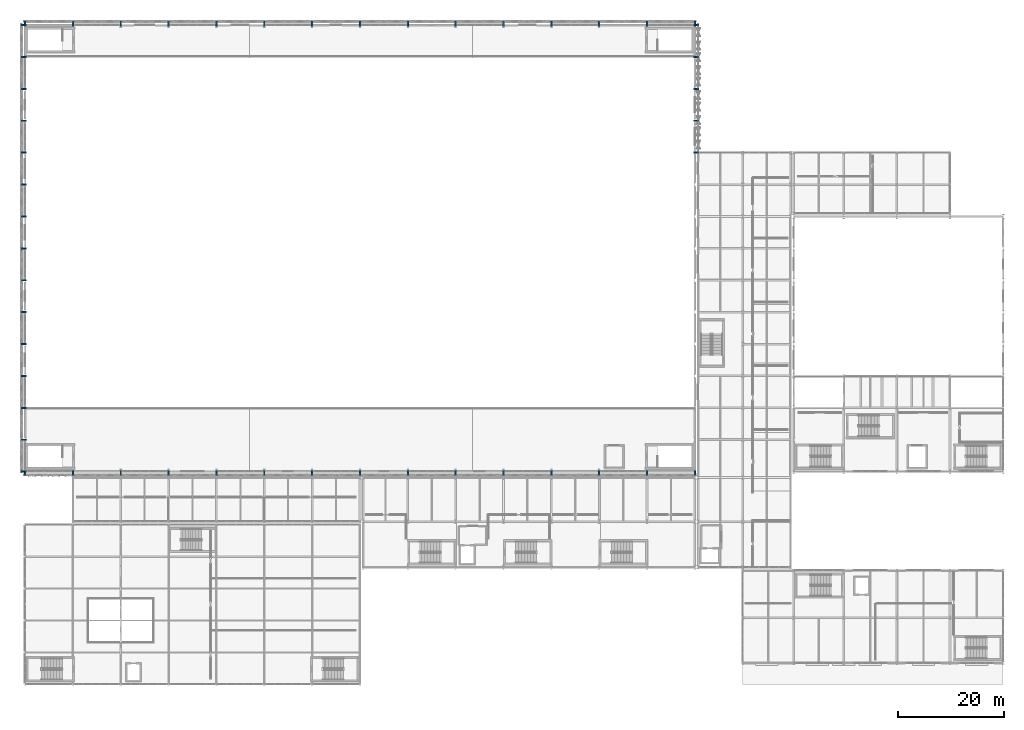
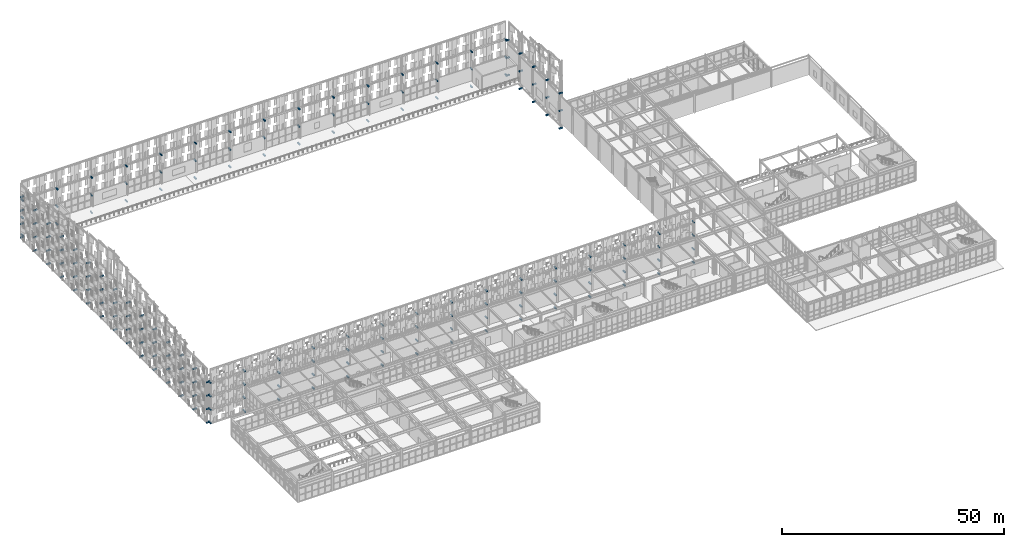
# One storey, part 173 of 210: 180 discrete accessories.
"""IFC4 building model written with IfcOpenShell, lengths in metres."""

from ifc_helpers import new_model, si_unit, direction, frame, origin, origin_2d, place, context, subcontext, project, spatial, rectangle, extrude, material, type_object, element, save


model = new_model("IFC4")

# Units and contexts
model_context = context("Model", 3, precision=1e-05, world=origin(), true_north=direction((0.0, 1.0)))
body_context = subcontext(model_context, "Body", "Model", "MODEL_VIEW")
ifc_project = project(units=[si_unit("LENGTHUNIT", "METRE"), si_unit("AREAUNIT", "SQUARE_METRE"), si_unit("VOLUMEUNIT", "CUBIC_METRE"), si_unit("PLANEANGLEUNIT", "RADIAN"), si_unit("MASSUNIT", "GRAM", prefix="KILO")], contexts=[model_context])

# Site, building, storey
site_placement = place(None, origin())
site = spatial("IfcSite", under=ifc_project, at=site_placement, CompositionType="ELEMENT")
building_placement = place(site_placement, origin())
building = spatial("IfcBuilding", under=site, at=building_placement, Name="Kaldris Quays Convention Centre", CompositionType="ELEMENT")
storey_placement = place(building_placement, frame((0.0, 0.0, 6.0)))
storey = spatial("IfcBuildingStorey", under=building, at=storey_placement, Name="L01", CompositionType="ELEMENT", Elevation=6.0)

# Discrete accessories
ifc_material = material(Name="Steel S355J2", Category="steel")
discrete_accessory_type = type_object("IfcDiscreteAccessoryType", Name="SCREEN OUTRIGGER BRACKET BK01", PredefinedType="BRACKET", material=ifc_material)
for number, where, z_axis, x_axis, name in (
    (1, (19.739990234375, 56.0, -2.27978515625), (0.0, 0.0, 1.0), (0.0, 1.0, 0.0), "V1W Screen Outrigger Bracket 2"),
    (2, (19.739990234375, 56.0, 1.419921875), (0.0, 0.0, 1.0), (0.0, 1.0, 0.0), "V1W Screen Outrigger Bracket 3"),
    (3, (19.739990234375, 56.0, 5.1201171875), (0.0, 0.0, 1.0), (0.0, 1.0, 0.0), "V1W Screen Outrigger Bracket 4"),
    (4, (19.739990234375, 56.0, 8.81982421875), (0.0, 0.0, 1.0), (0.0, 1.0, 0.0), "V1W Screen Outrigger Bracket 5"),
    (5, (19.739990234375, 62.0, -2.27978515625), (0.0, 0.0, 1.0), (0.0, 1.0, 0.0), "V1W Screen Outrigger Bracket 7"),
    (6, (19.739990234375, 62.0, 1.419921875), (0.0, 0.0, 1.0), (0.0, 1.0, 0.0), "V1W Screen Outrigger Bracket 8"),
    (7, (19.739990234375, 62.0, 5.1201171875), (0.0, 0.0, 1.0), (0.0, 1.0, 0.0), "V1W Screen Outrigger Bracket 9"),
    (8, (19.739990234375, 62.0, 8.81982421875), (0.0, 0.0, 1.0), (0.0, 1.0, 0.0), "V1W Screen Outrigger Bracket 10"),
    (9, (19.739990234375, 68.0, -2.27978515625), (0.0, 0.0, 1.0), (0.0, 1.0, 0.0), "V1W Screen Outrigger Bracket 12"),
    (10, (19.739990234375, 68.0, 1.419921875), (0.0, 0.0, 1.0), (0.0, 1.0, 0.0), "V1W Screen Outrigger Bracket 13"),
    (11, (19.739990234375, 68.0, 5.1201171875), (0.0, 0.0, 1.0), (0.0, 1.0, 0.0), "V1W Screen Outrigger Bracket 14"),
    (12, (19.739990234375, 68.0, 8.81982421875), (0.0, 0.0, 1.0), (0.0, 1.0, 0.0), "V1W Screen Outrigger Bracket 15"),
    (13, (19.739990234375, 74.0, -2.27978515625), (0.0, 0.0, 1.0), (0.0, 1.0, 0.0), "V1W Screen Outrigger Bracket 17"),
    (14, (19.739990234375, 74.0, 1.419921875), (0.0, 0.0, 1.0), (0.0, 1.0, 0.0), "V1W Screen Outrigger Bracket 18"),
    (15, (19.739990234375, 74.0, 5.1201171875), (0.0, 0.0, 1.0), (0.0, 1.0, 0.0), "V1W Screen Outrigger Bracket 19"),
    (16, (19.739990234375, 74.0, 8.81982421875), (0.0, 0.0, 1.0), (0.0, 1.0, 0.0), "V1W Screen Outrigger Bracket 20"),
    (17, (19.739990234375, 80.0, -2.27978515625), (0.0, 0.0, 1.0), (0.0, 1.0, 0.0), "V1W Screen Outrigger Bracket 22"),
    (18, (19.739990234375, 80.0, 1.419921875), (0.0, 0.0, 1.0), (0.0, 1.0, 0.0), "V1W Screen Outrigger Bracket 23"),
    (19, (19.739990234375, 80.0, 5.1201171875), (0.0, 0.0, 1.0), (0.0, 1.0, 0.0), "V1W Screen Outrigger Bracket 24"),
    (20, (19.739990234375, 80.0, 8.81982421875), (0.0, 0.0, 1.0), (0.0, 1.0, 0.0), "V1W Screen Outrigger Bracket 25"),
    (21, (19.739990234375, 86.0, -2.27978515625), (0.0, 0.0, 1.0), (0.0, 1.0, 0.0), "V1W Screen Outrigger Bracket 27"),
    (22, (19.739990234375, 86.0, 1.419921875), (0.0, 0.0, 1.0), (0.0, 1.0, 0.0), "V1W Screen Outrigger Bracket 28"),
    (23, (19.739990234375, 86.0, 5.1201171875), (0.0, 0.0, 1.0), (0.0, 1.0, 0.0), "V1W Screen Outrigger Bracket 29"),
    (24, (19.739990234375, 86.0, 8.81982421875), (0.0, 0.0, 1.0), (0.0, 1.0, 0.0), "V1W Screen Outrigger Bracket 30"),
    (25, (19.739990234375, 92.0, -2.27978515625), (0.0, 0.0, 1.0), (0.0, 1.0, 0.0), "V1W Screen Outrigger Bracket 32"),
    (26, (19.739990234375, 92.0, 1.419921875), (0.0, 0.0, 1.0), (0.0, 1.0, 0.0), "V1W Screen Outrigger Bracket 33"),
    (27, (19.739990234375, 92.0, 5.1201171875), (0.0, 0.0, 1.0), (0.0, 1.0, 0.0), "V1W Screen Outrigger Bracket 34"),
    (28, (19.739990234375, 92.0, 8.81982421875), (0.0, 0.0, 1.0), (0.0, 1.0, 0.0), "V1W Screen Outrigger Bracket 35"),
    (29, (19.739990234375, 98.0, -2.27978515625), (0.0, 0.0, 1.0), (0.0, 1.0, 0.0), "V1W Screen Outrigger Bracket 37"),
    (30, (19.739990234375, 98.0, 1.419921875), (0.0, 0.0, 1.0), (0.0, 1.0, 0.0), "V1W Screen Outrigger Bracket 38"),
    (31, (19.739990234375, 98.0, 5.1201171875), (0.0, 0.0, 1.0), (0.0, 1.0, 0.0), "V1W Screen Outrigger Bracket 39"),
    (32, (19.739990234375, 98.0, 8.81982421875), (0.0, 0.0, 1.0), (0.0, 1.0, 0.0), "V1W Screen Outrigger Bracket 40"),
    (33, (19.739990234375, 104.0, -2.27978515625), (0.0, 0.0, 1.0), (0.0, 1.0, 0.0), "V1W Screen Outrigger Bracket 42"),
    (34, (19.739990234375, 104.0, 1.419921875), (0.0, 0.0, 1.0), (0.0, 1.0, 0.0), "V1W Screen Outrigger Bracket 43"),
    (35, (19.739990234375, 104.0, 5.1201171875), (0.0, 0.0, 1.0), (0.0, 1.0, 0.0), "V1W Screen Outrigger Bracket 44"),
    (36, (19.739990234375, 104.0, 8.81982421875), (0.0, 0.0, 1.0), (0.0, 1.0, 0.0), "V1W Screen Outrigger Bracket 45"),
    (37, (19.739990234375, 110.0, -2.27978515625), (0.0, 0.0, 1.0), (0.0, 1.0, 0.0), "V1W Screen Outrigger Bracket 47"),
    (38, (19.739990234375, 110.0, 1.419921875), (0.0, 0.0, 1.0), (0.0, 1.0, 0.0), "V1W Screen Outrigger Bracket 48"),
    (39, (19.739990234375, 110.0, 5.1201171875), (0.0, 0.0, 1.0), (0.0, 1.0, 0.0), "V1W Screen Outrigger Bracket 49"),
    (40, (19.739990234375, 110.0, 8.81982421875), (0.0, 0.0, 1.0), (0.0, 1.0, 0.0), "V1W Screen Outrigger Bracket 50"),
    (41, (19.739990234375, 116.0, -2.27978515625), (0.0, 0.0, 1.0), (0.0, 1.0, 0.0), "V1W Screen Outrigger Bracket 52"),
    (42, (19.739990234375, 116.0, 1.419921875), (0.0, 0.0, 1.0), (0.0, 1.0, 0.0), "V1W Screen Outrigger Bracket 53"),
    (43, (19.739990234375, 116.0, 5.1201171875), (0.0, 0.0, 1.0), (0.0, 1.0, 0.0), "V1W Screen Outrigger Bracket 54"),
    (44, (19.739990234375, 116.0, 8.81982421875), (0.0, 0.0, 1.0), (0.0, 1.0, 0.0), "V1W Screen Outrigger Bracket 55"),
    (45, (19.739990234375, 122.0, -2.27978515625), (0.0, 0.0, 1.0), (0.0, 1.0, 0.0), "V1W Screen Outrigger Bracket 57"),
    (46, (19.739990234375, 122.0, 1.419921875), (0.0, 0.0, 1.0), (0.0, 1.0, 0.0), "V1W Screen Outrigger Bracket 58"),
    (47, (19.739990234375, 122.0, 5.1201171875), (0.0, 0.0, 1.0), (0.0, 1.0, 0.0), "V1W Screen Outrigger Bracket 59"),
    (48, (19.739990234375, 122.0, 8.81982421875), (0.0, 0.0, 1.0), (0.0, 1.0, 0.0), "V1W Screen Outrigger Bracket 60"),
    (49, (19.739990234375, 128.0, -2.27978515625), (0.0, 0.0, 1.0), (0.0, 1.0, 0.0), "V1W Screen Outrigger Bracket 62"),
    (50, (19.739990234375, 128.0, 1.419921875), (0.0, 0.0, 1.0), (0.0, 1.0, 0.0), "V1W Screen Outrigger Bracket 63"),
    (51, (19.739990234375, 128.0, 5.1201171875), (0.0, 0.0, 1.0), (0.0, 1.0, 0.0), "V1W Screen Outrigger Bracket 64"),
    (52, (19.739990234375, 128.0, 8.81982421875), (0.0, 0.0, 1.0), (0.0, 1.0, 0.0), "V1W Screen Outrigger Bracket 65"),
    (53, (19.739990234375, 134.0, -2.27978515625), (0.0, 0.0, 1.0), (0.0, 1.0, 0.0), "V1W Screen Outrigger Bracket 67"),
    (54, (19.739990234375, 134.0, 1.419921875), (0.0, 0.0, 1.0), (0.0, 1.0, 0.0), "V1W Screen Outrigger Bracket 68"),
    (55, (19.739990234375, 134.0, 5.1201171875), (0.0, 0.0, 1.0), (0.0, 1.0, 0.0), "V1W Screen Outrigger Bracket 69"),
    (56, (19.739990234375, 134.0, 8.81982421875), (0.0, 0.0, 1.0), (0.0, 1.0, 0.0), "V1W Screen Outrigger Bracket 70"),
    (57, (19.739990234375, 140.0, -2.27978515625), (0.0, 0.0, 1.0), (0.0, 1.0, 0.0), "V1W Screen Outrigger Bracket 72"),
    (58, (19.739990234375, 140.0, 1.419921875), (0.0, 0.0, 1.0), (0.0, 1.0, 0.0), "V1W Screen Outrigger Bracket 73"),
    (59, (19.739990234375, 140.0, 5.1201171875), (0.0, 0.0, 1.0), (0.0, 1.0, 0.0), "V1W Screen Outrigger Bracket 74"),
    (60, (19.739990234375, 140.0, 8.81982421875), (0.0, 0.0, 1.0), (0.0, 1.0, 0.0), "V1W Screen Outrigger Bracket 75"),
    (61, (20.0, 140.260009765625, -1.97998046875), (0.0, 0.0, 1.0), (1.0, 0.0, 0.0), "V1N Screen Outrigger Bracket 97"),
    (62, (20.0, 140.260009765625, 2.85302734375), (0.0, 0.0, 1.0), (1.0, 0.0, 0.0), "V1N Screen Outrigger Bracket 98"),
    (63, (20.0, 140.260009765625, 7.68701171875), (0.0, 0.0, 1.0), (1.0, 0.0, 0.0), "V1N Screen Outrigger Bracket 99"),
    (64, (29.0, 140.260009765625, -1.97998046875), (0.0, 0.0, 1.0), (1.0, 0.0, 0.0), "V1N Screen Outrigger Bracket 101"),
    (65, (29.0, 140.260009765625, 2.85302734375), (0.0, 0.0, 1.0), (1.0, 0.0, 0.0), "V1N Screen Outrigger Bracket 102"),
    (66, (29.0, 140.260009765625, 7.68701171875), (0.0, 0.0, 1.0), (1.0, 0.0, 0.0), "V1N Screen Outrigger Bracket 103"),
    (67, (38.0, 140.260009765625, -1.97998046875), (0.0, 0.0, 1.0), (1.0, 0.0, 0.0), "V1N Screen Outrigger Bracket 105"),
    (68, (38.0, 140.260009765625, 2.85302734375), (0.0, 0.0, 1.0), (1.0, 0.0, 0.0), "V1N Screen Outrigger Bracket 106"),
    (69, (38.0, 140.260009765625, 7.68701171875), (0.0, 0.0, 1.0), (1.0, 0.0, 0.0), "V1N Screen Outrigger Bracket 107"),
    (70, (47.0, 140.260009765625, -1.97998046875), (0.0, 0.0, 1.0), (1.0, 0.0, 0.0), "V1N Screen Outrigger Bracket 109"),
    (71, (47.0, 140.260009765625, 2.85302734375), (0.0, 0.0, 1.0), (1.0, 0.0, 0.0), "V1N Screen Outrigger Bracket 110"),
    (72, (47.0, 140.260009765625, 7.68701171875), (0.0, 0.0, 1.0), (1.0, 0.0, 0.0), "V1N Screen Outrigger Bracket 111"),
    (73, (56.0, 140.260009765625, -1.97998046875), (0.0, 0.0, 1.0), (1.0, 0.0, 0.0), "V1N Screen Outrigger Bracket 113"),
    (74, (56.0, 140.260009765625, 2.85302734375), (0.0, 0.0, 1.0), (1.0, 0.0, 0.0), "V1N Screen Outrigger Bracket 114"),
    (75, (56.0, 140.260009765625, 7.68701171875), (0.0, 0.0, 1.0), (1.0, 0.0, 0.0), "V1N Screen Outrigger Bracket 115"),
    (76, (65.0, 140.260009765625, -1.97998046875), (0.0, 0.0, 1.0), (1.0, 0.0, 0.0), "V1N Screen Outrigger Bracket 117"),
    (77, (65.0, 140.260009765625, 2.85302734375), (0.0, 0.0, 1.0), (1.0, 0.0, 0.0), "V1N Screen Outrigger Bracket 118"),
    (78, (65.0, 140.260009765625, 7.68701171875), (0.0, 0.0, 1.0), (1.0, 0.0, 0.0), "V1N Screen Outrigger Bracket 119"),
    (79, (74.0, 140.260009765625, -1.97998046875), (0.0, 0.0, 1.0), (1.0, 0.0, 0.0), "V1N Screen Outrigger Bracket 121"),
    (80, (74.0, 140.260009765625, 2.85302734375), (0.0, 0.0, 1.0), (1.0, 0.0, 0.0), "V1N Screen Outrigger Bracket 122"),
    (81, (74.0, 140.260009765625, 7.68701171875), (0.0, 0.0, 1.0), (1.0, 0.0, 0.0), "V1N Screen Outrigger Bracket 123"),
    (82, (83.0, 140.260009765625, -1.97998046875), (0.0, 0.0, 1.0), (1.0, 0.0, 0.0), "V1N Screen Outrigger Bracket 125"),
    (83, (83.0, 140.260009765625, 2.85302734375), (0.0, 0.0, 1.0), (1.0, 0.0, 0.0), "V1N Screen Outrigger Bracket 126"),
    (84, (83.0, 140.260009765625, 7.68701171875), (0.0, 0.0, 1.0), (1.0, 0.0, 0.0), "V1N Screen Outrigger Bracket 127"),
    (85, (92.0, 140.260009765625, -1.97998046875), (0.0, 0.0, 1.0), (1.0, 0.0, 0.0), "V1N Screen Outrigger Bracket 129"),
    (86, (92.0, 140.260009765625, 2.85302734375), (0.0, 0.0, 1.0), (1.0, 0.0, 0.0), "V1N Screen Outrigger Bracket 130"),
    (87, (92.0, 140.260009765625, 7.68701171875), (0.0, 0.0, 1.0), (1.0, 0.0, 0.0), "V1N Screen Outrigger Bracket 131"),
    (88, (101.0, 140.260009765625, -1.97998046875), (0.0, 0.0, 1.0), (1.0, 0.0, 0.0), "V1N Screen Outrigger Bracket 133"),
    (89, (101.0, 140.260009765625, 2.85302734375), (0.0, 0.0, 1.0), (1.0, 0.0, 0.0), "V1N Screen Outrigger Bracket 134"),
    (90, (101.0, 140.260009765625, 7.68701171875), (0.0, 0.0, 1.0), (1.0, 0.0, 0.0), "V1N Screen Outrigger Bracket 135"),
    (91, (110.0, 140.260009765625, -1.97998046875), (0.0, 0.0, 1.0), (1.0, 0.0, 0.0), "V1N Screen Outrigger Bracket 137"),
    (92, (110.0, 140.260009765625, 2.85302734375), (0.0, 0.0, 1.0), (1.0, 0.0, 0.0), "V1N Screen Outrigger Bracket 138"),
    (93, (110.0, 140.260009765625, 7.68701171875), (0.0, 0.0, 1.0), (1.0, 0.0, 0.0), "V1N Screen Outrigger Bracket 139"),
    (94, (119.0, 140.260009765625, -1.97998046875), (0.0, 0.0, 1.0), (1.0, 0.0, 0.0), "V1N Screen Outrigger Bracket 141"),
    (95, (119.0, 140.260009765625, 2.85302734375), (0.0, 0.0, 1.0), (1.0, 0.0, 0.0), "V1N Screen Outrigger Bracket 142"),
    (96, (119.0, 140.260009765625, 7.68701171875), (0.0, 0.0, 1.0), (1.0, 0.0, 0.0), "V1N Screen Outrigger Bracket 143"),
    (97, (128.0, 140.260009765625, -1.97998046875), (0.0, 0.0, 1.0), (1.0, 0.0, 0.0), "V1N Screen Outrigger Bracket 145"),
    (98, (128.0, 140.260009765625, 2.85302734375), (0.0, 0.0, 1.0), (1.0, 0.0, 0.0), "V1N Screen Outrigger Bracket 146"),
    (99, (128.0, 140.260009765625, 7.68701171875), (0.0, 0.0, 1.0), (1.0, 0.0, 0.0), "V1N Screen Outrigger Bracket 147"),
    (100, (137.0, 140.260009765625, -1.97998046875), (0.0, 0.0, 1.0), (1.0, 0.0, 0.0), "V1N Screen Outrigger Bracket 149"),
    (101, (137.0, 140.260009765625, 2.85302734375), (0.0, 0.0, 1.0), (1.0, 0.0, 0.0), "V1N Screen Outrigger Bracket 150"),
    (102, (137.0, 140.260009765625, 7.68701171875), (0.0, 0.0, 1.0), (1.0, 0.0, 0.0), "V1N Screen Outrigger Bracket 151"),
    (103, (146.0, 140.260009765625, -1.97998046875), (0.0, 0.0, 1.0), (1.0, 0.0, 0.0), "V1N Screen Outrigger Bracket 153"),
    (104, (146.0, 140.260009765625, 2.85302734375), (0.0, 0.0, 1.0), (1.0, 0.0, 0.0), "V1N Screen Outrigger Bracket 154"),
    (105, (146.0, 140.260009765625, 7.68701171875), (0.0, 0.0, 1.0), (1.0, 0.0, 0.0), "V1N Screen Outrigger Bracket 155"),
    (106, (20.0, 55.739990234375, -2.27978515625), (0.0, 0.0, 1.0), (1.0, 0.0, 0.0), "V1S Screen Outrigger Bracket 161"),
    (107, (20.0, 55.739990234375, 1.419921875), (0.0, 0.0, 1.0), (1.0, 0.0, 0.0), "V1S Screen Outrigger Bracket 162"),
    (108, (20.0, 55.739990234375, 5.1201171875), (0.0, 0.0, 1.0), (1.0, 0.0, 0.0), "V1S Screen Outrigger Bracket 163"),
    (109, (20.0, 55.739990234375, 8.81982421875), (0.0, 0.0, 1.0), (1.0, 0.0, 0.0), "V1S Screen Outrigger Bracket 164"),
    (110, (29.0, 55.739990234375, -2.27978515625), (0.0, 0.0, 1.0), (1.0, 0.0, 0.0), "V1S Screen Outrigger Bracket 166"),
    (111, (29.0, 55.739990234375, 1.419921875), (0.0, 0.0, 1.0), (1.0, 0.0, 0.0), "V1S Screen Outrigger Bracket 167"),
    (112, (29.0, 55.739990234375, 5.1201171875), (0.0, 0.0, 1.0), (1.0, 0.0, 0.0), "V1S Screen Outrigger Bracket 168"),
    (113, (29.0, 55.739990234375, 8.81982421875), (0.0, 0.0, 1.0), (1.0, 0.0, 0.0), "V1S Screen Outrigger Bracket 169"),
    (114, (38.0, 55.739990234375, -2.27978515625), (0.0, 0.0, 1.0), (1.0, 0.0, 0.0), "V1S Screen Outrigger Bracket 171"),
    (115, (38.0, 55.739990234375, 1.419921875), (0.0, 0.0, 1.0), (1.0, 0.0, 0.0), "V1S Screen Outrigger Bracket 172"),
    (116, (38.0, 55.739990234375, 5.1201171875), (0.0, 0.0, 1.0), (1.0, 0.0, 0.0), "V1S Screen Outrigger Bracket 173"),
    (117, (38.0, 55.739990234375, 8.81982421875), (0.0, 0.0, 1.0), (1.0, 0.0, 0.0), "V1S Screen Outrigger Bracket 174"),
    (118, (47.0, 55.739990234375, -2.27978515625), (0.0, 0.0, 1.0), (1.0, 0.0, 0.0), "V1S Screen Outrigger Bracket 176"),
    (119, (47.0, 55.739990234375, 1.419921875), (0.0, 0.0, 1.0), (1.0, 0.0, 0.0), "V1S Screen Outrigger Bracket 177"),
    (120, (47.0, 55.739990234375, 5.1201171875), (0.0, 0.0, 1.0), (1.0, 0.0, 0.0), "V1S Screen Outrigger Bracket 178"),
    (121, (47.0, 55.739990234375, 8.81982421875), (0.0, 0.0, 1.0), (1.0, 0.0, 0.0), "V1S Screen Outrigger Bracket 179"),
    (122, (56.0, 55.739990234375, -2.27978515625), (0.0, 0.0, 1.0), (1.0, 0.0, 0.0), "V1S Screen Outrigger Bracket 181"),
    (123, (56.0, 55.739990234375, 1.419921875), (0.0, 0.0, 1.0), (1.0, 0.0, 0.0), "V1S Screen Outrigger Bracket 182"),
    (124, (56.0, 55.739990234375, 5.1201171875), (0.0, 0.0, 1.0), (1.0, 0.0, 0.0), "V1S Screen Outrigger Bracket 183"),
    (125, (56.0, 55.739990234375, 8.81982421875), (0.0, 0.0, 1.0), (1.0, 0.0, 0.0), "V1S Screen Outrigger Bracket 184"),
    (126, (65.0, 55.739990234375, -2.27978515625), (0.0, 0.0, 1.0), (1.0, 0.0, 0.0), "V1S Screen Outrigger Bracket 186"),
    (127, (65.0, 55.739990234375, 1.419921875), (0.0, 0.0, 1.0), (1.0, 0.0, 0.0), "V1S Screen Outrigger Bracket 187"),
    (128, (65.0, 55.739990234375, 5.1201171875), (0.0, 0.0, 1.0), (1.0, 0.0, 0.0), "V1S Screen Outrigger Bracket 188"),
    (129, (65.0, 55.739990234375, 8.81982421875), (0.0, 0.0, 1.0), (1.0, 0.0, 0.0), "V1S Screen Outrigger Bracket 189"),
    (130, (74.0, 55.739990234375, -2.27978515625), (0.0, 0.0, 1.0), (1.0, 0.0, 0.0), "V1S Screen Outrigger Bracket 191"),
    (131, (74.0, 55.739990234375, 1.419921875), (0.0, 0.0, 1.0), (1.0, 0.0, 0.0), "V1S Screen Outrigger Bracket 192"),
    (132, (74.0, 55.739990234375, 5.1201171875), (0.0, 0.0, 1.0), (1.0, 0.0, 0.0), "V1S Screen Outrigger Bracket 193"),
    (133, (74.0, 55.739990234375, 8.81982421875), (0.0, 0.0, 1.0), (1.0, 0.0, 0.0), "V1S Screen Outrigger Bracket 194"),
    (134, (83.0, 55.739990234375, -2.27978515625), (0.0, 0.0, 1.0), (1.0, 0.0, 0.0), "V1S Screen Outrigger Bracket 196"),
    (135, (83.0, 55.739990234375, 1.419921875), (0.0, 0.0, 1.0), (1.0, 0.0, 0.0), "V1S Screen Outrigger Bracket 197"),
    (136, (83.0, 55.739990234375, 5.1201171875), (0.0, 0.0, 1.0), (1.0, 0.0, 0.0), "V1S Screen Outrigger Bracket 198"),
    (137, (83.0, 55.739990234375, 8.81982421875), (0.0, 0.0, 1.0), (1.0, 0.0, 0.0), "V1S Screen Outrigger Bracket 199"),
    (138, (92.0, 55.739990234375, -2.27978515625), (0.0, 0.0, 1.0), (1.0, 0.0, 0.0), "V1S Screen Outrigger Bracket 201"),
    (139, (92.0, 55.739990234375, 1.419921875), (0.0, 0.0, 1.0), (1.0, 0.0, 0.0), "V1S Screen Outrigger Bracket 202"),
    (140, (92.0, 55.739990234375, 5.1201171875), (0.0, 0.0, 1.0), (1.0, 0.0, 0.0), "V1S Screen Outrigger Bracket 203"),
    (141, (92.0, 55.739990234375, 8.81982421875), (0.0, 0.0, 1.0), (1.0, 0.0, 0.0), "V1S Screen Outrigger Bracket 204"),
    (142, (101.0, 55.739990234375, -2.27978515625), (0.0, 0.0, 1.0), (1.0, 0.0, 0.0), "V1S Screen Outrigger Bracket 206"),
    (143, (101.0, 55.739990234375, 1.419921875), (0.0, 0.0, 1.0), (1.0, 0.0, 0.0), "V1S Screen Outrigger Bracket 207"),
    (144, (101.0, 55.739990234375, 5.1201171875), (0.0, 0.0, 1.0), (1.0, 0.0, 0.0), "V1S Screen Outrigger Bracket 208"),
    (145, (101.0, 55.739990234375, 8.81982421875), (0.0, 0.0, 1.0), (1.0, 0.0, 0.0), "V1S Screen Outrigger Bracket 209"),
    (146, (110.0, 55.739990234375, -2.27978515625), (0.0, 0.0, 1.0), (1.0, 0.0, 0.0), "V1S Screen Outrigger Bracket 211"),
    (147, (110.0, 55.739990234375, 1.419921875), (0.0, 0.0, 1.0), (1.0, 0.0, 0.0), "V1S Screen Outrigger Bracket 212"),
    (148, (110.0, 55.739990234375, 5.1201171875), (0.0, 0.0, 1.0), (1.0, 0.0, 0.0), "V1S Screen Outrigger Bracket 213"),
    (149, (110.0, 55.739990234375, 8.81982421875), (0.0, 0.0, 1.0), (1.0, 0.0, 0.0), "V1S Screen Outrigger Bracket 214"),
    (150, (119.0, 55.739990234375, -2.27978515625), (0.0, 0.0, 1.0), (1.0, 0.0, 0.0), "V1S Screen Outrigger Bracket 216"),
    (151, (119.0, 55.739990234375, 1.419921875), (0.0, 0.0, 1.0), (1.0, 0.0, 0.0), "V1S Screen Outrigger Bracket 217"),
    (152, (119.0, 55.739990234375, 5.1201171875), (0.0, 0.0, 1.0), (1.0, 0.0, 0.0), "V1S Screen Outrigger Bracket 218"),
    (153, (119.0, 55.739990234375, 8.81982421875), (0.0, 0.0, 1.0), (1.0, 0.0, 0.0), "V1S Screen Outrigger Bracket 219"),
    (154, (128.0, 55.739990234375, -2.27978515625), (0.0, 0.0, 1.0), (1.0, 0.0, 0.0), "V1S Screen Outrigger Bracket 221"),
    (155, (128.0, 55.739990234375, 1.419921875), (0.0, 0.0, 1.0), (1.0, 0.0, 0.0), "V1S Screen Outrigger Bracket 222"),
    (156, (128.0, 55.739990234375, 5.1201171875), (0.0, 0.0, 1.0), (1.0, 0.0, 0.0), "V1S Screen Outrigger Bracket 223"),
    (157, (128.0, 55.739990234375, 8.81982421875), (0.0, 0.0, 1.0), (1.0, 0.0, 0.0), "V1S Screen Outrigger Bracket 224"),
    (158, (137.0, 55.739990234375, -2.27978515625), (0.0, 0.0, 1.0), (1.0, 0.0, 0.0), "V1S Screen Outrigger Bracket 226"),
    (159, (137.0, 55.739990234375, 1.419921875), (0.0, 0.0, 1.0), (1.0, 0.0, 0.0), "V1S Screen Outrigger Bracket 227"),
    (160, (137.0, 55.739990234375, 5.1201171875), (0.0, 0.0, 1.0), (1.0, 0.0, 0.0), "V1S Screen Outrigger Bracket 228"),
    (161, (137.0, 55.739990234375, 8.81982421875), (0.0, 0.0, 1.0), (1.0, 0.0, 0.0), "V1S Screen Outrigger Bracket 229"),
    (162, (146.0, 55.739990234375, -2.27978515625), (0.0, 0.0, 1.0), (1.0, 0.0, 0.0), "V1S Screen Outrigger Bracket 231"),
    (163, (146.0, 55.739990234375, 1.419921875), (0.0, 0.0, 1.0), (1.0, 0.0, 0.0), "V1S Screen Outrigger Bracket 232"),
    (164, (146.0, 55.739990234375, 5.1201171875), (0.0, 0.0, 1.0), (1.0, 0.0, 0.0), "V1S Screen Outrigger Bracket 233"),
    (165, (146.0, 55.739990234375, 8.81982421875), (0.0, 0.0, 1.0), (1.0, 0.0, 0.0), "V1S Screen Outrigger Bracket 234"),
    (166, (146.260009765625, 116.0, -1.97998046875), (0.0, 0.0, 1.0), (0.0, 1.0, 0.0), "V1E Screen Outrigger Bracket 241"),
    (167, (146.260009765625, 116.0, 2.85302734375), (0.0, 0.0, 1.0), (0.0, 1.0, 0.0), "V1E Screen Outrigger Bracket 242"),
    (168, (146.260009765625, 116.0, 7.68701171875), (0.0, 0.0, 1.0), (0.0, 1.0, 0.0), "V1E Screen Outrigger Bracket 243"),
    (169, (146.260009765625, 122.0, -1.97998046875), (0.0, 0.0, 1.0), (0.0, 1.0, 0.0), "V1E Screen Outrigger Bracket 245"),
    (170, (146.260009765625, 122.0, 2.85302734375), (0.0, 0.0, 1.0), (0.0, 1.0, 0.0), "V1E Screen Outrigger Bracket 246"),
    (171, (146.260009765625, 122.0, 7.68701171875), (0.0, 0.0, 1.0), (0.0, 1.0, 0.0), "V1E Screen Outrigger Bracket 247"),
    (172, (146.260009765625, 128.0, -1.97998046875), (0.0, 0.0, 1.0), (0.0, 1.0, 0.0), "V1E Screen Outrigger Bracket 249"),
    (173, (146.260009765625, 128.0, 2.85302734375), (0.0, 0.0, 1.0), (0.0, 1.0, 0.0), "V1E Screen Outrigger Bracket 250"),
    (174, (146.260009765625, 128.0, 7.68701171875), (0.0, 0.0, 1.0), (0.0, 1.0, 0.0), "V1E Screen Outrigger Bracket 251"),
    (175, (146.260009765625, 134.0, -1.97998046875), (0.0, 0.0, 1.0), (0.0, 1.0, 0.0), "V1E Screen Outrigger Bracket 253"),
    (176, (146.260009765625, 134.0, 2.85302734375), (0.0, 0.0, 1.0), (0.0, 1.0, 0.0), "V1E Screen Outrigger Bracket 254"),
    (177, (146.260009765625, 134.0, 7.68701171875), (0.0, 0.0, 1.0), (0.0, 1.0, 0.0), "V1E Screen Outrigger Bracket 255"),
    (178, (146.260009765625, 140.0, -1.97998046875), (0.0, 0.0, 1.0), (0.0, 1.0, 0.0), "V1E Screen Outrigger Bracket 257"),
    (179, (146.260009765625, 140.0, 2.85302734375), (0.0, 0.0, 1.0), (0.0, 1.0, 0.0), "V1E Screen Outrigger Bracket 258"),
    (180, (146.260009765625, 140.0, 7.68701171875), (0.0, 0.0, 1.0), (0.0, 1.0, 0.0), "V1E Screen Outrigger Bracket 259"),
):
    element("IfcDiscreteAccessory", number, at=place(storey_placement, frame(where, z_axis=z_axis, x_axis=x_axis)), inside=storey, type_object=discrete_accessory_type, Name=name, PredefinedType="BRACKET", context=body_context, shape_type="SweptSolid", body=[
        extrude(rectangle(XDim=0.260009765625, YDim=0.8798828125, at=origin_2d()), origin(), (0.0, 0.0, 1.0), 0.260009765625),
    ])

save(model, "model.ifc")
